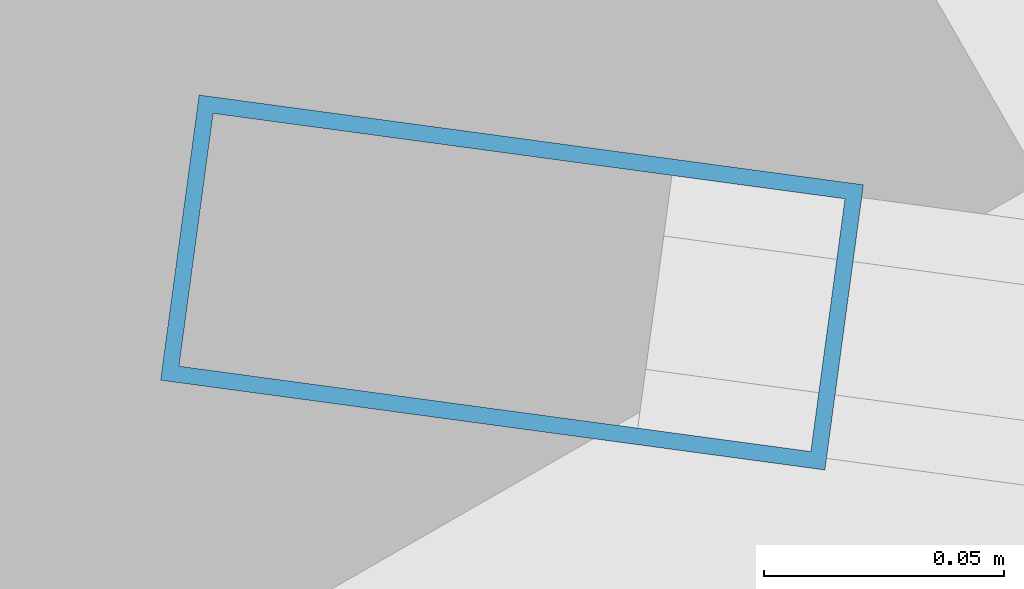
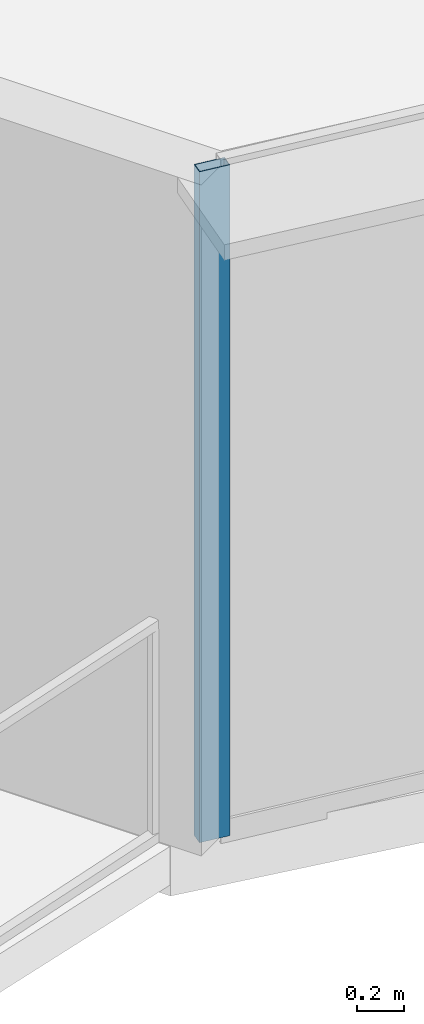
# One storey, part 2 of 35: 1 member, 1 element without a shape of its own.
"""IFC4 building model written with IfcOpenShell, lengths in metres."""

from ifc_helpers import new_model, si_unit, direction, frame, origin, origin_2d, place, context, subcontext, project, spatial, hollow_rectangle, extrude, source, transform, mapped, material, layer, layer_set, material_profile, profile_set, type_object, element, aggregate, save


model = new_model("IFC4")

# Units and contexts
model_context = context("Model", 3, precision=1e-05, world=origin(), true_north=direction((0.0, 1.0)))
body_context = subcontext(model_context, "Body", "Model", "MODEL_VIEW")
ifc_project = project(units=[si_unit("LENGTHUNIT", "METRE"), si_unit("AREAUNIT", "SQUARE_METRE"), si_unit("VOLUMEUNIT", "CUBIC_METRE"), si_unit("PLANEANGLEUNIT", "RADIAN"), si_unit("MASSUNIT", "GRAM", prefix="KILO"), si_unit("THERMODYNAMICTEMPERATUREUNIT", "KELVIN"), si_unit("POWERUNIT", "WATT")], contexts=[model_context])

# Site, building, storey
site_placement = place(None, origin())
site = spatial("IfcSite", under=ifc_project, at=site_placement, CompositionType="ELEMENT")
building_placement = place(site_placement, origin())
building = spatial("IfcBuilding", under=site, at=building_placement, Name="Yunzhuo Pagoda Commons", CompositionType="ELEMENT")
storey_placement = place(building_placement, frame((0.0, 0.0, 237.070068359375)))
storey = spatial("IfcBuildingStorey", under=building, at=storey_placement, Name="L59", CompositionType="ELEMENT", Elevation=237.070068359375)

# Curtain wall, member
ifc_material = material(Name="Anodized aluminium 6063-T6", Category="aluminium")
ifc_layer = layer(ifc_material, 0.139892578125)
ifc_layer_set = layer_set([ifc_layer], Name="Anodized aluminium 6063-T6")
curtain_wall_type = type_object("IfcCurtainWallType", Name="CW-HI High-Zone Ribbon Curtain Wall", PredefinedType="NOTDEFINED", material=ifc_layer_set)
curtain_wall_placement = place(storey_placement, origin())
curtain_wall = element("IfcCurtainWall", 1, at=curtain_wall_placement, inside=storey, type_object=curtain_wall_type, Name="L59 curtain wall CW-L59-F1B1", PredefinedType="NOTDEFINED")
ifc_material_profile = material_profile(ifc_material, hollow_rectangle(XDim=0.06005859375, YDim=0.139892578125, WallThickness=0.00341796875, at=origin_2d()), Name="Anodized aluminium 6063-T6")
ifc_profile_set = profile_set([ifc_material_profile], Name="Anodized aluminium 6063-T6")
member_type = type_object("IfcMemberType", Name="CW-HI-M Mullion RHS 140x60x3.5", PredefinedType="MULLION", material=ifc_profile_set)
shared_shape = source(origin(), body_context, "Body", "SweptSolid", [
    extrude(hollow_rectangle(XDim=0.06005859375, YDim=0.139892578125, WallThickness=0.00341796875, at=origin_2d()), origin(), (0.0, 0.0, 1.0), 3.469970703125),
])
member_placement = place(storey_placement, frame((15.7822265625, 18.6513671875, 0.0), z_axis=(0.0, 0.0, 1.0), x_axis=(0.133929585963, 0.990990850616, 0.0)))
member = element("IfcMember", 2, at=member_placement, type_object=member_type, Name="CW mullion 1", PredefinedType="MULLION", context=body_context, shape_type="MappedRepresentation", body=[
    mapped(shared_shape, transform((0.0, 0.0, 0.0), scale=1.0)),
])
aggregate(curtain_wall, [member])

save(model, "model.ifc")
